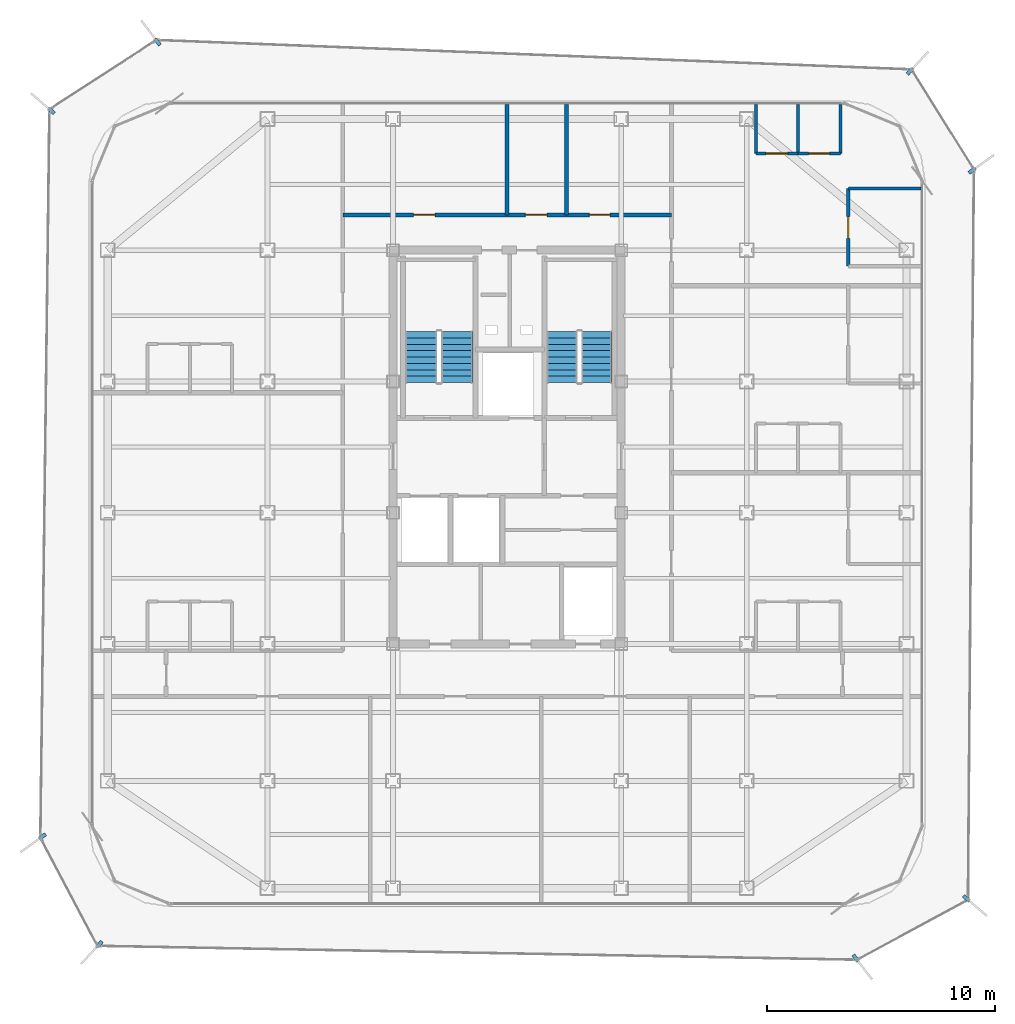
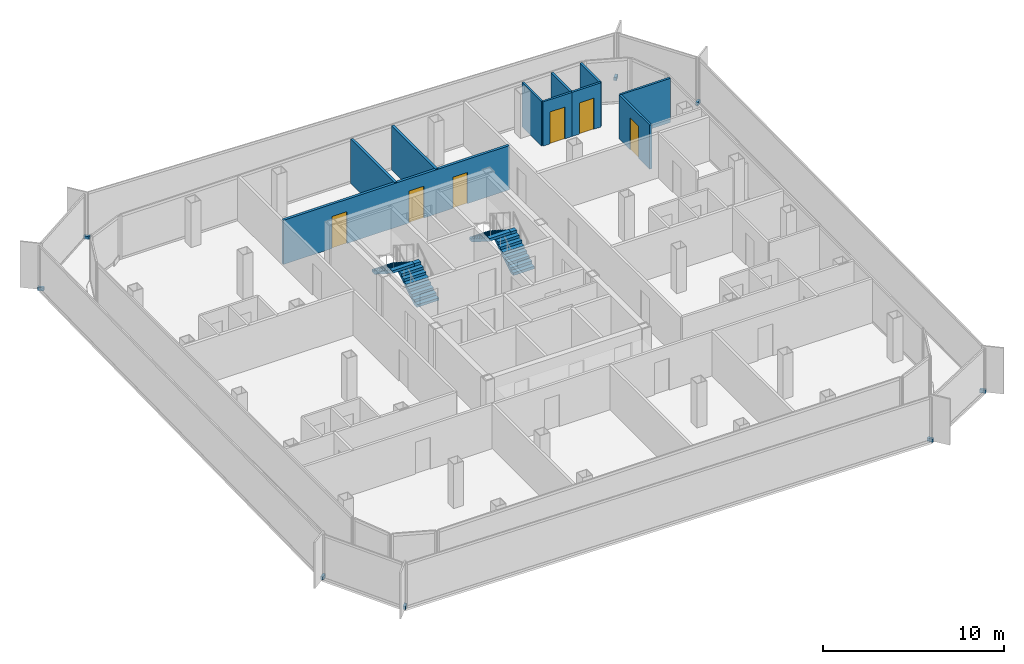
# One storey, part 12 of 15: 10 walls, 8 discrete accessories, 6 doors, 4 stair flights, 6 openings, 2 elements without a shape of their own.
"""IFC4 building model written with IfcOpenShell, lengths in metres."""

from ifc_helpers import new_model, si_unit, direction, frame, frame_2d, origin, origin_2d, place, context, subcontext, project, spatial, polyline, rectangle, outline, extrude, source, transform, mapped, material, layer, layer_set, type_object, element, fill, aggregate, save


model = new_model("IFC4")

# Units and contexts
model_context = context("Model", 3, precision=1e-05, world=origin(), true_north=direction((0.0, 1.0)))
body_context = subcontext(model_context, "Body", "Model", "MODEL_VIEW")
ifc_project = project(units=[si_unit("LENGTHUNIT", "METRE"), si_unit("AREAUNIT", "SQUARE_METRE"), si_unit("VOLUMEUNIT", "CUBIC_METRE"), si_unit("PLANEANGLEUNIT", "RADIAN"), si_unit("MASSUNIT", "GRAM", prefix="KILO")], contexts=[model_context])

# Site, building, storey
site_placement = place(None, origin())
site = spatial("IfcSite", under=ifc_project, at=site_placement, CompositionType="ELEMENT")
building_placement = place(site_placement, origin())
building = spatial("IfcBuilding", under=site, at=building_placement, Name="Kolveth Station Tower", CompositionType="ELEMENT")
storey_placement = place(building_placement, frame((0.0, 0.0, 245.699951171875)))
storey = spatial("IfcBuildingStorey", under=building, at=storey_placement, Name="L70", CompositionType="ELEMENT", Elevation=245.699951171875)

# Wall, opening, door
ifc_material_1 = material(Name="Moisture-resistant gypsum partition")
ifc_layer_1 = layer(ifc_material_1, 0.135009765625)
ifc_layer_set_1 = layer_set([ifc_layer_1], Name="Moisture-resistant gypsum partition")
wall_type_1 = type_object("IfcWallType", Name="Wall_IW-135", PredefinedType="PARTITIONING", material=ifc_layer_set_1)
wall_1_placement = place(storey_placement, frame((34.39990234375, 32.989990234375, 0.0), z_axis=(0.0, 0.0, 1.0), x_axis=(1.0, 0.0, 0.0)))
wall_1 = element("IfcWall", 1, at=wall_1_placement, inside=storey, type_object=wall_type_1, Name="L70 Partition Wall WL-L70-E3-IBHK", PredefinedType="PARTITIONING", context=body_context, shape_type="SweptSolid", body=[
    extrude(rectangle(XDim=1.85009765625, YDim=0.135009765625, at=frame_2d((0.925048828125, 0.0))), origin(), (0.0, 0.0, 1.0), 2.97998046875),
])
opening_1_placement = place(wall_1_placement, frame((0.445068359375, 0.0, 0.0)))
opening_1 = element("IfcOpeningElement", 2, at=opening_1_placement, cuts=wall_1, Name="Opening ID1", PredefinedType="OPENING", context=body_context, shape_type="SweptSolid", body=[
    extrude(rectangle(XDim=0.949951171875, YDim=2.14990234375, at=frame_2d((0.47509765625, 1.074951171875))), frame((0.0, 0.077392578125, 0.0), z_axis=(0.0, -1.0, 0.0), x_axis=(1.0, 0.0, 0.0)), (0.0, 0.0, 1.0), 0.155029296875),
])
ifc_material_2 = material(Name="Acoustic hardwood leaf and aluminium frame", Category="wood")
door_type_1 = type_object("IfcDoorType", Name="Door_ID1", OperationType="NOTDEFINED", PredefinedType="DOOR", material=ifc_material_2)
door_1_placement = place(opening_1_placement, frame((0.949951171875, 0.0, 0.0), z_axis=(0.0, 0.0, 1.0), x_axis=(-1.0, 0.0, 0.0)))
door_1 = element("IfcDoor", 3, at=door_1_placement, inside=storey, type_object=door_type_1, Name="Flat L70-E3 Kitchen Door", OperationType="SINGLE_SWING_RIGHT", OverallHeight=2.14990234375, OverallWidth=0.949951171875, PredefinedType="DOOR", context=body_context, shape_type="SweptSolid", body=[
    extrude(rectangle(XDim=0.949951171875, YDim=2.14990234375, at=frame_2d((0.47509765625, 1.074951171875))), frame((0.0, 0.02490234375, 0.0), z_axis=(0.0, -1.0, 0.0), x_axis=(1.0, 0.0, 0.0)), (0.0, 0.0, 1.0), 0.050048828125),
])
fill(opening_1, door_1)

wall_2_placement = place(storey_placement, frame((36.25, 32.989990234375, 0.0), z_axis=(0.0, 0.0, 1.0), x_axis=(1.0, 0.0, 0.0)))
wall_2 = element("IfcWall", 4, at=wall_2_placement, inside=storey, type_object=wall_type_1, Name="L70 Partition Wall WL-L70-E3-IBHB", PredefinedType="PARTITIONING", context=body_context, shape_type="SweptSolid", body=[
    extrude(rectangle(XDim=1.85009765625, YDim=0.135009765625, at=frame_2d((0.925048828125, 0.0))), origin(), (0.0, 0.0, 1.0), 2.97998046875),
])
opening_2_placement = place(wall_2_placement, frame((0.465087890625, 0.0, 0.0)))
opening_2 = element("IfcOpeningElement", 5, at=opening_2_placement, cuts=wall_2, Name="Opening ID2", PredefinedType="OPENING", context=body_context, shape_type="SweptSolid", body=[
    extrude(rectangle(XDim=0.919921875, YDim=2.10009765625, at=frame_2d((0.4599609375, 1.050048828125))), frame((0.0, 0.077392578125, 0.0), z_axis=(0.0, -1.0, 0.0), x_axis=(1.0, 0.0, 0.0)), (0.0, 0.0, 1.0), 0.155029296875),
])
ifc_material_3 = material(Name="Moisture-resistant hardwood leaf", Category="wood")
door_type_2 = type_object("IfcDoorType", Name="Door_ID2", OperationType="NOTDEFINED", PredefinedType="DOOR", material=ifc_material_3)
door_2_placement = place(opening_2_placement, frame((0.919921875, 0.0, 0.0), z_axis=(0.0, 0.0, 1.0), x_axis=(-1.0, 0.0, 0.0)))
door_2 = element("IfcDoor", 6, at=door_2_placement, inside=storey, type_object=door_type_2, Name="Flat L70-E3 Bathroom Door", OperationType="SINGLE_SWING_LEFT", OverallHeight=2.10009765625, OverallWidth=0.919921875, PredefinedType="DOOR", context=body_context, shape_type="SweptSolid", body=[
    extrude(rectangle(XDim=0.919921875, YDim=2.10009765625, at=frame_2d((0.4599609375, 1.050048828125))), frame((0.0, 0.02490234375, 0.0), z_axis=(0.0, -1.0, 0.0), x_axis=(1.0, 0.0, 0.0)), (0.0, 0.0, 1.0), 0.050048828125),
])
fill(opening_2, door_2)

# Walls
for number, where, z_axis, x_axis, name in (
    (7, (34.39990234375, 32.989990234375, 0.0), (0.0, 0.0, 1.0), (0.0, 1.0, 0.0), "L70 Partition Wall WL-L70-E3-IBV0"),
    (8, (36.25, 32.989990234375, 0.0), (0.0, 0.0, 1.0), (0.0, 1.0, 0.0), "L70 Partition Wall WL-L70-E3-IBV1"),
    (9, (38.10009765625, 32.989990234375, 0.0), (0.0, 0.0, 1.0), (0.0, 1.0, 0.0), "L70 Partition Wall WL-L70-E3-IBV2"),
):
    element("IfcWall", number, at=place(storey_placement, frame(where, z_axis=z_axis, x_axis=x_axis)), inside=storey, type_object=wall_type_1, Name=name, PredefinedType="PARTITIONING", context=body_context, shape_type="SweptSolid", body=[
        extrude(rectangle(XDim=2.14990234375, YDim=0.135009765625, at=frame_2d((1.074951171875, 0.0))), origin(), (0.0, 0.0, 1.0), 2.97998046875),
    ])
wall_3_placement = place(storey_placement, frame((38.449951171875, 31.449951171875, 0.0), z_axis=(0.0, 0.0, 1.0), x_axis=(1.0, 0.0, 0.0)))
element("IfcWall", 10, at=wall_3_placement, inside=storey, type_object=wall_type_1, Name="L70 Partition Wall WL-L70-E3-BDHE", PredefinedType="PARTITIONING", context=body_context, shape_type="SweptSolid", body=[
    extrude(rectangle(XDim=3.18994140625, YDim=0.135009765625, at=frame_2d((1.594970703125, 0.0))), origin(), (0.0, 0.0, 1.0), 2.97998046875),
])

# Wall, opening, door
wall_4_placement = place(storey_placement, frame((38.449951171875, 28.050048828125, 0.0), z_axis=(0.0, 0.0, 1.0), x_axis=(0.0, 1.0, 0.0)))
wall_4 = element("IfcWall", 11, at=wall_4_placement, inside=storey, type_object=wall_type_1, Name="L70 Partition Wall WL-L70-E3-BDV1", PredefinedType="PARTITIONING", context=body_context, shape_type="SweptSolid", body=[
    extrude(rectangle(XDim=3.39990234375, YDim=0.135009765625, at=frame_2d((1.699951171875, 0.0))), origin(), (0.0, 0.0, 1.0), 2.97998046875),
])
opening_3_placement = place(wall_4_placement, frame((1.219970703125, 0.0, 0.0)))
opening_3 = element("IfcOpeningElement", 12, at=opening_3_placement, cuts=wall_4, Name="Opening ID1", PredefinedType="OPENING", context=body_context, shape_type="SweptSolid", body=[
    extrude(rectangle(XDim=0.949951171875, YDim=2.14990234375, at=frame_2d((0.47509765625, 1.074951171875))), frame((0.0, 0.077392578125, 0.0), z_axis=(0.0, -1.0, 0.0), x_axis=(1.0, 0.0, 0.0)), (0.0, 0.0, 1.0), 0.155029296875),
])
door_3_placement = place(opening_3_placement, frame((0.949951171875, 0.0, 0.0), z_axis=(0.0, 0.0, 1.0), x_axis=(-1.0, 0.0, 0.0)))
door_3 = element("IfcDoor", 13, at=door_3_placement, inside=storey, type_object=door_type_1, Name="Flat L70-E3 Bedroom 1 Door", OperationType="SINGLE_SWING_RIGHT", OverallHeight=2.14990234375, OverallWidth=0.949951171875, PredefinedType="DOOR", context=body_context, shape_type="SweptSolid", body=[
    extrude(rectangle(XDim=0.949951171875, YDim=2.14990234375, at=frame_2d((0.47509765625, 1.074951171875))), frame((0.0, 0.02490234375, 0.0), z_axis=(0.0, -1.0, 0.0), x_axis=(1.0, 0.0, 0.0)), (0.0, 0.0, 1.0), 0.050048828125),
])
fill(opening_3, door_3)

# Wall, openings, doors
ifc_material_4 = material(Name="Acoustic double-stud gypsum partition")
ifc_layer_2 = layer(ifc_material_4, 0.1650390625)
ifc_layer_set_2 = layer_set([ifc_layer_2], Name="Acoustic double-stud gypsum partition")
wall_type_2 = type_object("IfcWallType", Name="Wall_IW-165", PredefinedType="PARTITIONING", material=ifc_layer_set_2)
wall_5_placement = place(storey_placement, frame((16.300048828125, 30.300048828125, 0.0), z_axis=(0.0, 0.0, 1.0), x_axis=(1.0, 0.0, 0.0)))
wall_5 = element("IfcWall", 14, at=wall_5_placement, inside=storey, type_object=wall_type_2, Name="L70 Partition Wall WL-L70-RN", PredefinedType="PARTITIONING", context=body_context, shape_type="SweptSolid", body=[
    extrude(rectangle(XDim=14.39990234375, YDim=0.1650390625, at=frame_2d((7.199951171875, 0.0))), origin(), (0.0, 0.0, 1.0), 2.97998046875),
])
opening_4_placement = place(wall_5_placement, frame((3.10009765625, 0.0, 0.0)))
opening_4 = element("IfcOpeningElement", 15, at=opening_4_placement, cuts=wall_5, Name="Opening ID1", PredefinedType="OPENING", context=body_context, shape_type="SweptSolid", body=[
    extrude(rectangle(XDim=0.949951171875, YDim=2.14990234375, at=frame_2d((0.47509765625, 1.074951171875))), frame((0.0, 0.092529296875, 0.0), z_axis=(0.0, -1.0, 0.0), x_axis=(1.0, 0.0, 0.0)), (0.0, 0.0, 1.0), 0.18505859375),
])
opening_5_placement = place(wall_5_placement, frame((8.0, 0.0, 0.0)))
opening_5 = element("IfcOpeningElement", 16, at=opening_5_placement, cuts=wall_5, Name="Opening ID1", PredefinedType="OPENING", context=body_context, shape_type="SweptSolid", body=[
    extrude(rectangle(XDim=0.949951171875, YDim=2.14990234375, at=frame_2d((0.47509765625, 1.074951171875))), frame((0.0, 0.092529296875, 0.0), z_axis=(0.0, -1.0, 0.0), x_axis=(1.0, 0.0, 0.0)), (0.0, 0.0, 1.0), 0.18505859375),
])
opening_6_placement = place(wall_5_placement, frame((10.800048828125, 0.0, 0.0)))
opening_6 = element("IfcOpeningElement", 17, at=opening_6_placement, cuts=wall_5, Name="Opening ID2", PredefinedType="OPENING", context=body_context, shape_type="SweptSolid", body=[
    extrude(rectangle(XDim=0.919921875, YDim=2.10009765625, at=frame_2d((0.4599609375, 1.050048828125))), frame((0.0, 0.092529296875, 0.0), z_axis=(0.0, -1.0, 0.0), x_axis=(1.0, 0.0, 0.0)), (0.0, 0.0, 1.0), 0.18505859375),
])
door_4_placement = place(opening_4_placement, origin())
door_4 = element("IfcDoor", 18, at=door_4_placement, inside=storey, type_object=door_type_1, Name="L70 Residents' Sky Lounge Door", OperationType="SINGLE_SWING_RIGHT", OverallHeight=2.14990234375, OverallWidth=0.949951171875, PredefinedType="DOOR", context=body_context, shape_type="SweptSolid", body=[
    extrude(rectangle(XDim=0.949951171875, YDim=2.14990234375, at=frame_2d((0.47509765625, 1.074951171875))), frame((0.0, 0.02490234375, 0.0), z_axis=(0.0, -1.0, 0.0), x_axis=(1.0, 0.0, 0.0)), (0.0, 0.0, 1.0), 0.050048828125),
])
fill(opening_4, door_4)
door_5_placement = place(opening_5_placement, origin())
door_5 = element("IfcDoor", 19, at=door_5_placement, inside=storey, type_object=door_type_1, Name="L70 Residents' Committee Room Door", OperationType="SINGLE_SWING_LEFT", OverallHeight=2.14990234375, OverallWidth=0.949951171875, PredefinedType="DOOR", context=body_context, shape_type="SweptSolid", body=[
    extrude(rectangle(XDim=0.949951171875, YDim=2.14990234375, at=frame_2d((0.47509765625, 1.074951171875))), frame((0.0, 0.02490234375, 0.0), z_axis=(0.0, -1.0, 0.0), x_axis=(1.0, 0.0, 0.0)), (0.0, 0.0, 1.0), 0.050048828125),
])
fill(opening_5, door_5)
door_6_placement = place(opening_6_placement, origin())
door_6 = element("IfcDoor", 20, at=door_6_placement, inside=storey, type_object=door_type_2, Name="L70 Accessible Residents' WC Door", OperationType="SINGLE_SWING_LEFT", OverallHeight=2.10009765625, OverallWidth=0.919921875, PredefinedType="DOOR", context=body_context, shape_type="SweptSolid", body=[
    extrude(rectangle(XDim=0.919921875, YDim=2.10009765625, at=frame_2d((0.4599609375, 1.050048828125))), frame((0.0, 0.02490234375, 0.0), z_axis=(0.0, -1.0, 0.0), x_axis=(1.0, 0.0, 0.0)), (0.0, 0.0, 1.0), 0.050048828125),
])
fill(opening_6, door_6)

# Walls
for number, where, z_axis, x_axis, name in (
    (21, (23.5, 30.300048828125, 0.0), (0.0, 0.0, 1.0), (0.0, 1.0, 0.0), "L70 Partition Wall WL-L70-RN-P1"),
    (22, (26.10009765625, 30.300048828125, 0.0), (0.0, 0.0, 1.0), (0.0, 1.0, 0.0), "L70 Partition Wall WL-L70-RN-P2"),
):
    element("IfcWall", number, at=place(storey_placement, frame(where, z_axis=z_axis, x_axis=x_axis)), inside=storey, type_object=wall_type_2, Name=name, PredefinedType="PARTITIONING", context=body_context, shape_type="SweptSolid", body=[
        extrude(rectangle(XDim=4.83984375, YDim=0.1650390625, at=frame_2d((2.419921875, 0.0))), origin(), (0.0, 0.0, 1.0), 2.97998046875),
    ])

# Stair, stair flights
ifc_material_5 = material(Name="Concrete C40/50", Category="concrete")
stair_type_1 = type_object("IfcStairType", Name="Stair_ST1", PredefinedType="HALF_TURN_STAIR", material=ifc_material_5)
stair_1_placement = place(storey_placement, origin())
stair_1 = element("IfcStair", 23, at=stair_1_placement, inside=storey, type_object=stair_type_1, Name="L70 Tower Exit Stair ST1", PredefinedType="HALF_TURN_STAIR")
ifc_layer_3 = layer(ifc_material_5, 0.179931640625)
ifc_layer_set_3 = layer_set([ifc_layer_3], Name="Concrete C40/50")
stair_flight_type_1 = type_object("IfcStairFlightType", Name="Flight_ST1", PredefinedType="STRAIGHT", material=ifc_layer_set_3)
stair_flight_1_placement = place(storey_placement, frame((21.300048828125, 22.949951171875, 0.0), z_axis=(0.0, 0.0, 1.0), x_axis=(0.0, 1.0, 0.0)))
stair_flight_1 = element("IfcStairFlight", 24, at=stair_flight_1_placement, type_object=stair_flight_type_1, Name="ST1 flight 1", NumberOfRisers=9, NumberOfTreads=8, PredefinedType="STRAIGHT", RiserHeight=0.177777778, TreadLength=0.28, context=body_context, shape_type="SweptSolid", body=[
    extrude(outline(polyline([(0.0, 0.0), (0.0, 0.177734375), (0.280029296875, 0.177734375), (0.280029296875, 0.35546875), (0.56005859375, 0.35546875), (0.56005859375, 0.533447265625), (0.840087890625, 0.533447265625), (0.840087890625, 0.711181640625), (1.1201171875, 0.711181640625), (1.1201171875, 0.888916015625), (1.39990234375, 0.888916015625), (1.39990234375, 1.066650390625), (1.679931640625, 1.066650390625), (1.679931640625, 1.244384765625), (1.9599609375, 1.244384765625), (1.9599609375, 1.422119140625), (2.239990234375, 1.422119140625), (2.239990234375, 1.60009765625), (2.239990234375, 1.24462890625), (0.27978515625, 0.0), (0.0, 0.0)])), frame((0.0, 0.699951171875, 0.0), z_axis=(0.0, -1.0, 0.0), x_axis=(1.0, 0.0, 0.0)), (0.0, 0.0, 1.0), 1.39990234375),
])
stair_flight_2_placement = place(storey_placement, frame((19.739990234375, 25.18994140625, 1.60009765625), z_axis=(0.0, 0.0, 1.0), x_axis=(0.0, -1.0, 0.0)))
stair_flight_2 = element("IfcStairFlight", 25, at=stair_flight_2_placement, type_object=stair_flight_type_1, Name="ST1 flight 2", NumberOfRisers=9, NumberOfTreads=8, PredefinedType="STRAIGHT", RiserHeight=0.177777778, TreadLength=0.28, context=body_context, shape_type="SweptSolid", body=[
    extrude(outline(polyline([(0.0, 0.0), (0.0, 0.177734375), (0.280029296875, 0.177734375), (0.280029296875, 0.35546875), (0.56005859375, 0.35546875), (0.56005859375, 0.533447265625), (0.840087890625, 0.533447265625), (0.840087890625, 0.711181640625), (1.1201171875, 0.711181640625), (1.1201171875, 0.888916015625), (1.39990234375, 0.888916015625), (1.39990234375, 1.066650390625), (1.679931640625, 1.066650390625), (1.679931640625, 1.244384765625), (1.9599609375, 1.244384765625), (1.9599609375, 1.422119140625), (2.239990234375, 1.422119140625), (2.239990234375, 1.60009765625), (2.239990234375, 1.24462890625), (0.27978515625, 0.0), (0.0, 0.0)])), frame((0.0, 0.699951171875, 0.0), z_axis=(0.0, -1.0, 0.0), x_axis=(1.0, 0.0, 0.0)), (0.0, 0.0, 1.0), 1.39990234375),
])
aggregate(stair_1, [stair_flight_1, stair_flight_2])

stair_type_2 = type_object("IfcStairType", Name="Stair_ST2", PredefinedType="HALF_TURN_STAIR", material=ifc_material_5)
stair_2_placement = place(storey_placement, origin())
stair_2 = element("IfcStair", 26, at=stair_2_placement, inside=storey, type_object=stair_type_2, Name="L70 Tower Exit Stair ST2", PredefinedType="HALF_TURN_STAIR")
ifc_layer_4 = layer(ifc_material_5, 0.179931640625)
ifc_layer_set_4 = layer_set([ifc_layer_4], Name="Concrete C40/50")
stair_flight_type_2 = type_object("IfcStairFlightType", Name="Flight_ST2", PredefinedType="STRAIGHT", material=ifc_layer_set_4)
stair_flight_3_placement = place(storey_placement, frame((27.425048828125, 22.949951171875, 0.0), z_axis=(0.0, 0.0, 1.0), x_axis=(0.0, 1.0, 0.0)))
stair_flight_3 = element("IfcStairFlight", 27, at=stair_flight_3_placement, type_object=stair_flight_type_2, Name="ST2 flight 1", NumberOfRisers=9, NumberOfTreads=8, PredefinedType="STRAIGHT", RiserHeight=0.177777778, TreadLength=0.28, context=body_context, shape_type="SweptSolid", body=[
    extrude(outline(polyline([(0.0, 0.0), (0.0, 0.177734375), (0.280029296875, 0.177734375), (0.280029296875, 0.35546875), (0.56005859375, 0.35546875), (0.56005859375, 0.533447265625), (0.840087890625, 0.533447265625), (0.840087890625, 0.711181640625), (1.1201171875, 0.711181640625), (1.1201171875, 0.888916015625), (1.39990234375, 0.888916015625), (1.39990234375, 1.066650390625), (1.679931640625, 1.066650390625), (1.679931640625, 1.244384765625), (1.9599609375, 1.244384765625), (1.9599609375, 1.422119140625), (2.239990234375, 1.422119140625), (2.239990234375, 1.60009765625), (2.239990234375, 1.24462890625), (0.27978515625, 0.0), (0.0, 0.0)])), frame((0.0, 0.675048828125, 0.0), z_axis=(0.0, -1.0, 0.0), x_axis=(1.0, 0.0, 0.0)), (0.0, 0.0, 1.0), 1.35009765625),
])
stair_flight_4_placement = place(storey_placement, frame((25.9150390625, 25.18994140625, 1.60009765625), z_axis=(0.0, 0.0, 1.0), x_axis=(0.0, -1.0, 0.0)))
stair_flight_4 = element("IfcStairFlight", 28, at=stair_flight_4_placement, type_object=stair_flight_type_2, Name="ST2 flight 2", NumberOfRisers=9, NumberOfTreads=8, PredefinedType="STRAIGHT", RiserHeight=0.177777778, TreadLength=0.28, context=body_context, shape_type="SweptSolid", body=[
    extrude(outline(polyline([(0.0, 0.0), (0.0, 0.177734375), (0.280029296875, 0.177734375), (0.280029296875, 0.35546875), (0.56005859375, 0.35546875), (0.56005859375, 0.533447265625), (0.840087890625, 0.533447265625), (0.840087890625, 0.711181640625), (1.1201171875, 0.711181640625), (1.1201171875, 0.888916015625), (1.39990234375, 0.888916015625), (1.39990234375, 1.066650390625), (1.679931640625, 1.066650390625), (1.679931640625, 1.244384765625), (1.9599609375, 1.244384765625), (1.9599609375, 1.422119140625), (2.239990234375, 1.422119140625), (2.239990234375, 1.60009765625), (2.239990234375, 1.24462890625), (0.27978515625, 0.0), (0.0, 0.0)])), frame((0.0, 0.675048828125, 0.0), z_axis=(0.0, -1.0, 0.0), x_axis=(1.0, 0.0, 0.0)), (0.0, 0.0, 1.0), 1.35009765625),
])
aggregate(stair_2, [stair_flight_3, stair_flight_4])

# Discrete accessories
ifc_material_6 = material(Name="Steel S355", Category="steel")
discrete_accessory_type = type_object("IfcDiscreteAccessoryType", Name="Bracket_BK1", PredefinedType="BRACKET", material=ifc_material_6)
shared_shape = source(origin(), body_context, "Body", "SweptSolid", [
    extrude(rectangle(XDim=0.35009765625, YDim=0.159912109375, at=origin_2d()), origin(), (0.0, 0.0, 1.0), 0.219970703125),
])
for number, where, z_axis, x_axis, name in (
    (29, (38.77490234375, -2.264892578125, -0.06005859375), (0.0, 0.0, 1.0), (0.608622953458, -0.79345957712, 0.0), "L70 Double-Skin Radial Tie Bracket 1"),
    (30, (43.6259765625, 0.35009765625, -0.06005859375), (0.0, 0.0, 1.0), (0.758361915289, -0.651833725301, 0.0), "L70 Double-Skin Radial Tie Bracket 2"),
    (31, (43.87890625, 32.239990234375, -0.06005859375), (0.0, 0.0, 1.0), (0.813100761047, 0.582122970157, 0.0), "L70 Double-Skin Radial Tie Bracket 3"),
    (32, (41.158935546875, 36.593994140625, -0.06005859375), (0.0, 0.0, 1.0), (0.681870704375, 0.731472721648, 0.0), "L70 Double-Skin Radial Tie Bracket 4"),
    (33, (8.18603515625, 37.875, -0.06005859375), (0.0, 0.0, 1.0), (-0.603625519008, 0.797267980545, 0.0), "L70 Double-Skin Radial Tie Bracket 5"),
    (34, (3.531005859375, 34.860107421875, -0.06005859375), (0.0, 0.0, 1.0), (-0.757451044777, 0.652891962553, 0.0), "L70 Double-Skin Radial Tie Bracket 6"),
    (35, (3.139892578125, 3.06201171875, -0.06005859375), (0.0, 0.0, 1.0), (-0.812897512265, -0.582406760395, 0.0), "L70 Double-Skin Radial Tie Bracket 7"),
    (36, (5.6298828125, -1.6630859375, -0.06005859375), (0.0, 0.0, 1.0), (-0.679185142834, -0.733966989553, 0.0), "L70 Double-Skin Radial Tie Bracket 8"),
):
    element("IfcDiscreteAccessory", number, at=place(storey_placement, frame(where, z_axis=z_axis, x_axis=x_axis)), inside=storey, type_object=discrete_accessory_type, Name=name, PredefinedType="BRACKET", context=body_context, shape_type="MappedRepresentation", body=[
        mapped(shared_shape, transform((0.0, 0.0, 0.0), x_axis=(1.0, 0.0, 0.0), y_axis=(0.0, 1.0, 0.0), z_axis=(0.0, 0.0, 1.0), scale=1.0)),
    ])

save(model, "model.ifc")
